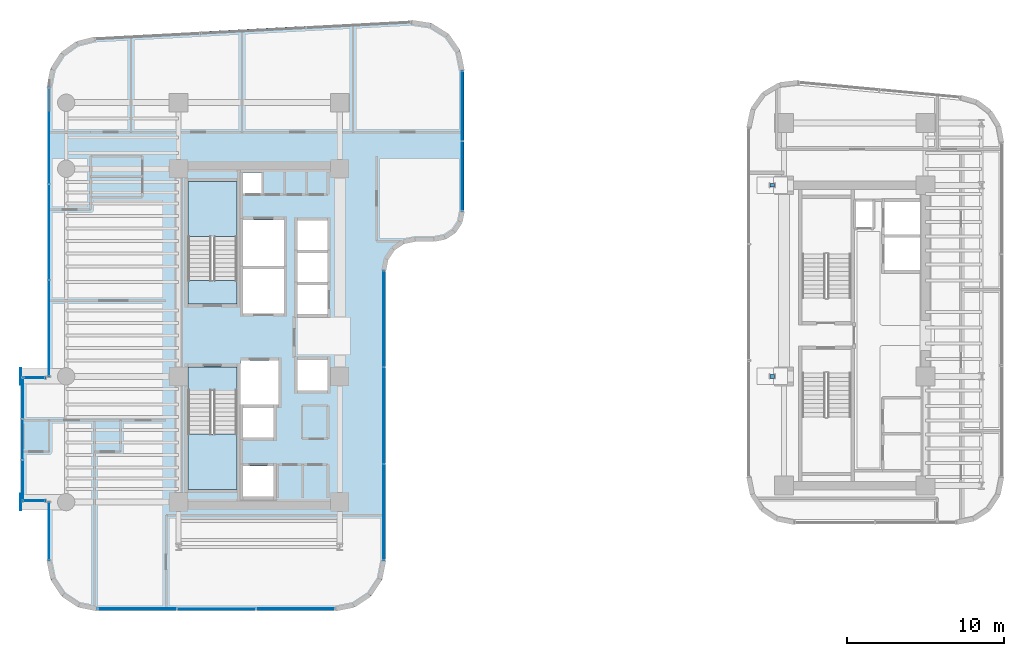
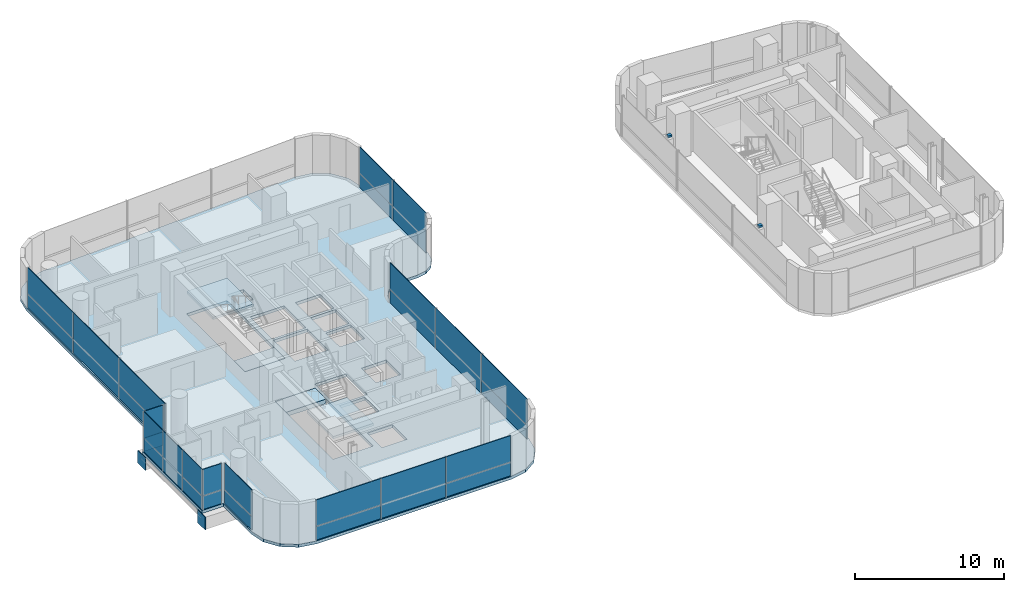
# One storey, part 24 of 35: 31 plates, 5 slabs, 2 members, 10 elements without a shape of their own.
"""IFC4 building model written with IfcOpenShell, lengths in metres."""

from ifc_helpers import new_model, si_unit, direction, frame, origin, origin_2d, place, context, subcontext, project, spatial, polyline, rectangle, hollow_rectangle, outline, extrude, source, transform, mapped, material, layer, layer_set, material_profile, profile_set, type_object, element, aggregate, save


model = new_model("IFC4")

# Units and contexts
model_context = context("Model", 3, precision=1e-05, world=origin(), true_north=direction((0.0, 1.0)))
body_context = subcontext(model_context, "Body", "Model", "MODEL_VIEW")
ifc_project = project(units=[si_unit("LENGTHUNIT", "METRE"), si_unit("AREAUNIT", "SQUARE_METRE"), si_unit("VOLUMEUNIT", "CUBIC_METRE"), si_unit("PLANEANGLEUNIT", "RADIAN"), si_unit("MASSUNIT", "GRAM", prefix="KILO")], contexts=[model_context])

# Site, building, storey
site_placement = place(None, origin())
site = spatial("IfcSite", under=ifc_project, at=site_placement, CompositionType="ELEMENT")
building_placement = place(site_placement, origin())
building = spatial("IfcBuilding", under=site, at=building_placement, Name="Valdorenza Pilgrim Sanctuary Tower", CompositionType="ELEMENT")
storey_placement = place(building_placement, frame((0.0, 0.0, 168.60009765625)))
storey = spatial("IfcBuildingStorey", under=building, at=storey_placement, Name="L43", CompositionType="ELEMENT", Elevation=168.60009765625)

# Members
ifc_material_1 = material(Name="Steel S355J2", Category="steel")
ifc_material_profile = material_profile(ifc_material_1, hollow_rectangle(XDim=0.14990234375, YDim=0.25, WallThickness=0.010009765625, at=origin_2d()), Name="RHS 250x150x10")
ifc_profile_set = profile_set([ifc_material_profile], Name="Steel S355J2")
member_type = type_object("IfcMemberType", Name="STR-MB-BRG-PTFE", PredefinedType="USERDEFINED", material=ifc_profile_set)
shared_shape_1 = source(origin(), body_context, "Body", "SweptSolid", [
    extrude(hollow_rectangle(XDim=0.14990234375, YDim=0.25, WallThickness=0.010009765625, at=origin_2d()), origin(), (0.0, 0.0, 1.0), 0.300048828125),
])
for number, where, z_axis, x_axis, name in (
    (1, (14.949951171875, 9.550048828125, 1.724853515625), (1.0, 0.0, 0.0), (0.0, 0.0, 1.0), "Portal Bridge Unguided PTFE Sliding Bearing PB-BRG1 #1"),
    (2, (14.949951171875, -2.60009765625, 1.724853515625), (1.0, 0.0, 0.0), (0.0, 0.0, 1.0), "Portal Bridge Unguided PTFE Sliding Bearing PB-BRG1 #2"),
):
    element("IfcMember", number, at=place(storey_placement, frame(where, z_axis=z_axis, x_axis=x_axis)), inside=storey, type_object=member_type, Name=name, ObjectType="BEARING", PredefinedType="USERDEFINED", context=body_context, shape_type="MappedRepresentation", body=[
        mapped(shared_shape_1, transform((0.0, 0.0, 0.0), x_axis=(1.0, 0.0, 0.0), y_axis=(0.0, 1.0, 0.0), z_axis=(0.0, 0.0, 1.0), scale=1.0)),
    ])

# Slab
ifc_material_2 = material(Name="Concrete C40/50", Category="concrete")
ifc_layer_1 = layer(ifc_material_2, 0.239990234375, Name="Concrete C40/50")
ifc_layer_set_1 = layer_set([ifc_layer_1], Name="Concrete C40/50")
slab_type_1 = type_object("IfcSlabType", Name="SLAB-FLR-220", PredefinedType="FLOOR", material=ifc_layer_set_1)
slab_1_placement = place(storey_placement, frame((0.0, 0.0, -0.239990234375)))
element("IfcSlab", 3, at=slab_1_placement, inside=storey, type_object=slab_type_1, Name="L43 Structural Floor Slab 1", PredefinedType="FLOOR", context=body_context, shape_type="SweptSolid", body=[
    extrude(outline(polyline([(-32.64990234375, -2.60009765625), (-31.0, -2.60009765625), (-31.0, 15.7646484375), (-30.772216796875, 16.9501953125), (-30.12158203125, 17.966796875), (-29.140625, 18.670166015625), (-27.96875, 18.960205078125), (-7.868896484375, 20.02197265625), (-6.593505859375, 19.8291015625), (-5.497802734375, 19.148193359375), (-4.760009765625, 18.090087890625), (-4.5, 16.826416015625), (-4.5, 7.89990234375), (-4.64453125, 7.1728515625), (-5.056396484375, 6.556396484375), (-5.6728515625, 6.14453125), (-6.39990234375, 6.0), (-7.60009765625, 6.0), (-8.3271484375, 5.85546875), (-8.943603515625, 5.443603515625), (-9.35546875, 4.8271484375), (-9.5, 4.10009765625), (-9.5, -14.300048828125), (-9.74365234375, -15.524658203125), (-10.437255859375, -16.562744140625), (-11.475341796875, -17.25634765625), (-12.699951171875, -17.5), (-27.800048828125, -17.5), (-29.024658203125, -17.25634765625), (-30.062744140625, -16.562744140625), (-30.75634765625, -15.524658203125), (-31.0, -14.300048828125), (-31.0, -10.60009765625), (-32.64990234375, -10.60009765625), (-32.64990234375, -2.60009765625)]), holes=[polyline([(-16.60009765625, -10.25), (-16.60009765625, -8.300048828125), (-18.550048828125, -8.300048828125), (-18.550048828125, -10.25), (-16.60009765625, -10.25)]), polyline([(-22.050048828125, -9.800048828125), (-18.93994140625, -9.800048828125), (-18.93994140625, -3.485107421875), (-18.93994140625, -2.0), (-22.050048828125, -2.0), (-22.050048828125, -3.485107421875), (-22.050048828125, -9.800048828125)]), polyline([(-16.60009765625, -6.5), (-16.60009765625, -4.60009765625), (-18.550048828125, -4.60009765625), (-18.550048828125, -6.5), (-16.60009765625, -6.5)]), polyline([(-18.719970703125, -4.39990234375), (-16.300048828125, -4.39990234375), (-16.300048828125, -1.60009765625), (-18.719970703125, -1.60009765625), (-18.719970703125, -4.39990234375)]), polyline([(-13.179931640625, 1.35009765625), (-13.179931640625, 3.199951171875), (-15.10009765625, 3.199951171875), (-15.10009765625, 1.35009765625), (-13.179931640625, 1.35009765625)]), polyline([(-22.050048828125, 2.0), (-18.93994140625, 2.0), (-18.93994140625, 3.485107421875), (-18.93994140625, 9.800048828125), (-22.050048828125, 9.800048828125), (-22.050048828125, 3.485107421875), (-22.050048828125, 2.0)]), polyline([(-15.949951171875, 1.39990234375), (-15.949951171875, 4.22509765625), (-18.550048828125, 4.22509765625), (-18.550048828125, 1.39990234375), (-15.949951171875, 1.39990234375)]), polyline([(-18.550048828125, 4.425048828125), (-15.949951171875, 4.425048828125), (-15.949951171875, 7.35009765625), (-18.550048828125, 7.35009765625), (-18.550048828125, 4.425048828125)]), polyline([(-17.360107421875, 9.030029296875), (-17.360107421875, 10.35009765625), (-18.570068359375, 10.35009765625), (-18.570068359375, 9.030029296875), (-17.360107421875, 9.030029296875)]), polyline([(-13.179931640625, -3.5), (-13.179931640625, -1.550048828125), (-15.10009765625, -1.550048828125), (-15.10009765625, -3.5), (-13.179931640625, -3.5)]), polyline([(-13.179931640625, 3.39990234375), (-13.179931640625, 5.25), (-15.10009765625, 5.25), (-15.10009765625, 3.39990234375), (-13.179931640625, 3.39990234375)]), polyline([(-13.179931640625, 5.449951171875), (-13.179931640625, 7.300048828125), (-15.10009765625, 7.300048828125), (-15.10009765625, 5.449951171875), (-13.179931640625, 5.449951171875)])]), origin(), (0.0, 0.0, 1.0), 0.239990234375),
])

# Stair, slab
stair_type = type_object("IfcStairType", Name="STR-DOG-CORE", PredefinedType="HALF_TURN_STAIR", material=ifc_material_2)
stair_1_placement = place(storey_placement, origin())
stair_1 = element("IfcStair", 4, at=stair_1_placement, inside=storey, type_object=stair_type, Name="L43 ST-A1", PredefinedType="HALF_TURN_STAIR")
ifc_layer_2 = layer(ifc_material_2, 0.199951171875, Name="Concrete C40/50")
ifc_layer_set_2 = layer_set([ifc_layer_2], Name="Concrete C40/50")
slab_type_2 = type_object("IfcSlabType", Name="SLAB-STL-200", PredefinedType="LANDING", material=ifc_layer_set_2)
slab_2_placement = place(storey_placement, frame((0.0, 0.0, 1.64990234375)))
slab_2 = element("IfcSlab", 5, at=slab_2_placement, type_object=slab_type_2, Name="ST-A1 landing 1", PredefinedType="LANDING", context=body_context, shape_type="SweptSolid", body=[
    extrude(outline(polyline([(-18.93994140625, 6.280029296875), (-18.93994140625, 9.800048828125), (-22.050048828125, 9.800048828125), (-22.050048828125, 6.280029296875), (-18.93994140625, 6.280029296875)])), origin(), (0.0, 0.0, 1.0), 0.199951171875),
])
aggregate(stair_1, [slab_2])

stair_2_placement = place(storey_placement, origin())
stair_2 = element("IfcStair", 6, at=stair_2_placement, inside=storey, type_object=stair_type, Name="L43 ST-A2", PredefinedType="HALF_TURN_STAIR")
slab_3_placement = place(storey_placement, frame((0.0, 0.0, 1.64990234375)))
slab_3 = element("IfcSlab", 7, at=slab_3_placement, type_object=slab_type_2, Name="ST-A2 landing 1", PredefinedType="LANDING", context=body_context, shape_type="SweptSolid", body=[
    extrude(outline(polyline([(-22.050048828125, -6.280029296875), (-22.050048828125, -9.800048828125), (-18.93994140625, -9.800048828125), (-18.93994140625, -6.280029296875), (-22.050048828125, -6.280029296875)])), origin(), (0.0, 0.0, 1.0), 0.199951171875),
])
aggregate(stair_2, [slab_3])

# Slabs
ifc_material_3 = material(Name="Concrete C50/60", Category="concrete")
ifc_layer_3 = layer(ifc_material_3, 0.39990234375, Name="Concrete C50/60")
ifc_layer_set_3 = layer_set([ifc_layer_3], Name="Concrete C50/60")
slab_type_3 = type_object("IfcSlabType", Name="SLAB-TRF-400", PredefinedType="FLOOR", material=ifc_layer_set_3)
slab_4_placement = place(storey_placement, frame((0.0, 0.0, -0.360107421875)))
element("IfcSlab", 8, at=slab_4_placement, inside=storey, type_object=slab_type_3, Name="L43 ST-A1 Structural Stair Landing Bearing Slab", PredefinedType="FLOOR", context=body_context, shape_type="SweptSolid", body=[
    extrude(outline(polyline([(-22.050048828125, 2.0), (-18.93994140625, 2.0), (-18.93994140625, 3.485107421875), (-22.050048828125, 3.485107421875), (-22.050048828125, 2.0)])), origin(), (0.0, 0.0, 1.0), 0.360107421875),
])
slab_5_placement = place(storey_placement, frame((0.0, 0.0, -0.360107421875)))
element("IfcSlab", 9, at=slab_5_placement, inside=storey, type_object=slab_type_3, Name="L43 ST-A2 Structural Stair Landing Bearing Slab", PredefinedType="FLOOR", context=body_context, shape_type="SweptSolid", body=[
    extrude(outline(polyline([(-22.050048828125, -3.485107421875), (-18.93994140625, -3.485107421875), (-18.93994140625, -2.0), (-22.050048828125, -2.0), (-22.050048828125, -3.485107421875)])), origin(), (0.0, 0.0, 1.0), 0.360107421875),
])

# Plates
ifc_material_4 = material(Name="Steel ASTM A572 Grade 42", Category="steel")
ifc_layer_4 = layer(ifc_material_4, 0.06005859375, Name="Steel ASTM A572 Grade 42")
ifc_layer_set_4 = layer_set([ifc_layer_4], Name="Steel ASTM A572 Grade 42")
plate_type_1 = type_object("IfcPlateType", Name="PLT-CAP-60", PredefinedType="SHEET", material=ifc_layer_set_4)
shared_shape_2 = source(origin(), body_context, "Body", "SweptSolid", [
    extrude(rectangle(XDim=0.06005859375, YDim=1.0400390625, at=origin_2d()), origin(), (0.0, 0.0, 1.0), 1.0400390625),
])
for number, where, z_axis, x_axis, name in (
    (10, (-32.679931640625, -2.60009765625, -1.260009765625), (0.0, 0.0, 1.0), (1.0, 0.0, 0.0), "L43 BOX-WA-L43 Cantilever Tip End Cap N"),
    (11, (-32.679931640625, -10.60009765625, -1.260009765625), (0.0, 0.0, 1.0), (1.0, 0.0, 0.0), "L43 BOX-WA-L43 Cantilever Tip End Cap S"),
):
    element("IfcPlate", number, at=place(storey_placement, frame(where, z_axis=z_axis, x_axis=x_axis)), inside=storey, type_object=plate_type_1, Name=name, PredefinedType="SHEET", context=body_context, shape_type="MappedRepresentation", body=[
        mapped(shared_shape_2, transform((0.0, 0.0, 0.0), x_axis=(1.0, 0.0, 0.0), y_axis=(0.0, 1.0, 0.0), z_axis=(0.0, 0.0, 1.0), scale=1.0)),
    ])

# Curtain wall, plate
ifc_material_5 = material(Name="Curtain-wall IGU glazing", Category="glass")
curtain_wall_type = type_object("IfcCurtainWallType", Name="CW-SYS-02", PredefinedType="NOTDEFINED", material=ifc_material_5)
curtain_wall_1_placement = place(storey_placement, origin())
curtain_wall_1 = element("IfcCurtainWall", 12, at=curtain_wall_1_placement, inside=storey, type_object=curtain_wall_type, Name="L43 Curtain Wall CW-L43-BOX-WA-L43-S", PredefinedType="NOTDEFINED")
ifc_material_6 = material(Name="Honed travertine limestone", Category="masonry")
ifc_layer_5 = layer(ifc_material_6, 0.050048828125, Name="Honed travertine limestone")
ifc_layer_set_5 = layer_set([ifc_layer_5], Name="Honed travertine limestone")
plate_type_2 = type_object("IfcPlateType", Name="CW-SPN-TRV", PredefinedType="USERDEFINED", material=ifc_layer_set_5)
shared_shape_3 = source(origin(), body_context, "Body", "SweptSolid", [
    extrude(rectangle(XDim=1.43994140625, YDim=0.06005859375, at=origin_2d()), origin(), (0.0, 0.0, 1.0), 1.10009765625),
])
plate_1_placement = place(storey_placement, frame((-31.840087890625, -10.52001953125, 0.009765625), z_axis=(0.0, 0.0, 1.0), x_axis=(-1.0, 0.0, 0.0)))
plate_1 = element("IfcPlate", 13, at=plate_1_placement, type_object=plate_type_2, Name="CW-L43-BOX-WA-L43-S Travertine Spandrel 1", ObjectType="SPANDREL", PredefinedType="USERDEFINED", context=body_context, shape_type="MappedRepresentation", body=[
    mapped(shared_shape_3, transform((0.0, 0.0, 0.0), x_axis=(1.0, 0.0, 0.0), y_axis=(0.0, 1.0, 0.0), z_axis=(0.0, 0.0, 1.0), scale=1.0)),
])

curtain_wall_2_placement = place(storey_placement, origin())
curtain_wall_2 = element("IfcCurtainWall", 14, at=curtain_wall_2_placement, inside=storey, type_object=curtain_wall_type, Name="L43 Curtain Wall CW-L43-BOX-WA-L43-N", PredefinedType="NOTDEFINED")
plate_2_placement = place(storey_placement, frame((-31.840087890625, -2.679931640625, 0.009765625), z_axis=(0.0, 0.0, 1.0), x_axis=(1.0, 0.0, 0.0)))
plate_2 = element("IfcPlate", 15, at=plate_2_placement, type_object=plate_type_2, Name="CW-L43-BOX-WA-L43-N Travertine Spandrel 1", ObjectType="SPANDREL", PredefinedType="USERDEFINED", context=body_context, shape_type="MappedRepresentation", body=[
    mapped(shared_shape_3, transform((0.0, 0.0, 0.0), x_axis=(1.0, 0.0, 0.0), y_axis=(0.0, 1.0, 0.0), z_axis=(0.0, 0.0, 1.0), scale=1.0)),
])

# Curtain wall, plates
curtain_wall_3_placement = place(storey_placement, origin())
curtain_wall_3 = element("IfcCurtainWall", 16, at=curtain_wall_3_placement, inside=storey, type_object=curtain_wall_type, Name="L43 Curtain Wall CW-L43-BOX-WA-L43-F", PredefinedType="NOTDEFINED")
shared_shape_4 = source(origin(), body_context, "Body", "SweptSolid", [
    extrude(rectangle(XDim=2.59326171875, YDim=0.06005859375, at=origin_2d()), origin(), (0.0, 0.0, 1.0), 1.10009765625),
])
plate_3_placement = place(storey_placement, frame((-32.570068359375, -9.21337890625, 0.009765625), z_axis=(0.0, 0.0, 1.0), x_axis=(0.0, 1.0, 0.0)))
plate_3 = element("IfcPlate", 17, at=plate_3_placement, type_object=plate_type_2, Name="CW-L43-BOX-WA-L43-F Travertine Spandrel 1", ObjectType="SPANDREL", PredefinedType="USERDEFINED", context=body_context, shape_type="MappedRepresentation", body=[
    mapped(shared_shape_4, transform((0.0, 0.0, 0.0), x_axis=(1.0, 0.0, 0.0), y_axis=(0.0, 1.0, 0.0), z_axis=(0.0, 0.0, 1.0), scale=1.0)),
])
plate_4_placement = place(storey_placement, frame((-32.570068359375, -3.98681640625, 0.009765625), z_axis=(0.0, 0.0, 1.0), x_axis=(0.0, 1.0, 0.0)))
plate_4 = element("IfcPlate", 18, at=plate_4_placement, type_object=plate_type_2, Name="CW-L43-BOX-WA-L43-F Travertine Spandrel 3", ObjectType="SPANDREL", PredefinedType="USERDEFINED", context=body_context, shape_type="MappedRepresentation", body=[
    mapped(shared_shape_4, transform((0.0, 0.0, 0.0), x_axis=(1.0, 0.0, 0.0), y_axis=(0.0, 1.0, 0.0), z_axis=(0.0, 0.0, 1.0), scale=1.0)),
])

curtain_wall_4_placement = place(storey_placement, origin())
curtain_wall_4 = element("IfcCurtainWall", 19, at=curtain_wall_4_placement, inside=storey, type_object=curtain_wall_type, Name="L43 Curtain Wall CW-L43-1-26", PredefinedType="NOTDEFINED")
shared_shape_5 = source(origin(), body_context, "Body", "SweptSolid", [
    extrude(rectangle(XDim=5.006103515625, YDim=0.06005859375, at=origin_2d()), origin(), (0.0, 0.0, 1.0), 1.10009765625),
])
plate_5_placement = place(storey_placement, frame((-15.223876953125, -17.389892578125, 0.009765625), z_axis=(0.0, 0.0, 1.0), x_axis=(-1.0, 0.0, 0.0)))
plate_5 = element("IfcPlate", 20, at=plate_5_placement, type_object=plate_type_2, Name="CW-L43-1-26 Travertine Spandrel 1", ObjectType="SPANDREL", PredefinedType="USERDEFINED", context=body_context, shape_type="MappedRepresentation", body=[
    mapped(shared_shape_5, transform((0.0, 0.0, 0.0), x_axis=(1.0, 0.0, 0.0), y_axis=(0.0, 1.0, 0.0), z_axis=(0.0, 0.0, 1.0), scale=1.0)),
])
plate_6_placement = place(storey_placement, frame((-25.276123046875, -17.389892578125, 0.009765625), z_axis=(0.0, 0.0, 1.0), x_axis=(-1.0, 0.0, 0.0)))
plate_6 = element("IfcPlate", 21, at=plate_6_placement, type_object=plate_type_2, Name="CW-L43-1-26 Travertine Spandrel 3", ObjectType="SPANDREL", PredefinedType="USERDEFINED", context=body_context, shape_type="MappedRepresentation", body=[
    mapped(shared_shape_5, transform((0.0, 0.0, 0.0), x_axis=(1.0, 0.0, 0.0), y_axis=(0.0, 1.0, 0.0), z_axis=(0.0, 0.0, 1.0), scale=1.0)),
])

# Curtain wall, plate
curtain_wall_5_placement = place(storey_placement, origin())
curtain_wall_5 = element("IfcCurtainWall", 22, at=curtain_wall_5_placement, inside=storey, type_object=curtain_wall_type, Name="L43 Curtain Wall CW-L43-1-1S1", PredefinedType="NOTDEFINED")
shared_shape_6 = source(origin(), body_context, "Body", "SweptSolid", [
    extrude(rectangle(XDim=3.669189453125, YDim=0.06005859375, at=origin_2d()), origin(), (0.0, 0.0, 1.0), 1.10009765625),
])
plate_7_placement = place(storey_placement, frame((-30.889892578125, -12.444580078125, 0.009765625), z_axis=(0.0, 0.0, 1.0), x_axis=(0.0, 1.0, 0.0)))
plate_7 = element("IfcPlate", 23, at=plate_7_placement, type_object=plate_type_2, Name="CW-L43-1-1S1 Travertine Spandrel 1", ObjectType="SPANDREL", PredefinedType="USERDEFINED", context=body_context, shape_type="MappedRepresentation", body=[
    mapped(shared_shape_6, transform((0.0, 0.0, 0.0), x_axis=(1.0, 0.0, 0.0), y_axis=(0.0, 1.0, 0.0), z_axis=(0.0, 0.0, 1.0), scale=1.0)),
])

curtain_wall_6_placement = place(storey_placement, origin())
curtain_wall_6 = element("IfcCurtainWall", 24, at=curtain_wall_6_placement, inside=storey, type_object=curtain_wall_type, Name="L43 Curtain Wall CW-L43-1-11", PredefinedType="NOTDEFINED")
shared_shape_7 = source(origin(), body_context, "Body", "SweptSolid", [
    extrude(rectangle(XDim=4.432373046875, YDim=0.06005859375, at=origin_2d()), origin(), (0.0, 0.0, 1.0), 1.10009765625),
])
plate_8_placement = place(storey_placement, frame((-4.610107421875, 14.589111328125, 0.009765625), z_axis=(0.0, 0.0, 1.0), x_axis=(0.0, -1.0, 0.0)))
plate_8 = element("IfcPlate", 25, at=plate_8_placement, type_object=plate_type_2, Name="CW-L43-1-11 Travertine Spandrel 1", ObjectType="SPANDREL", PredefinedType="USERDEFINED", context=body_context, shape_type="MappedRepresentation", body=[
    mapped(shared_shape_7, transform((0.0, 0.0, 0.0), x_axis=(1.0, 0.0, 0.0), y_axis=(0.0, 1.0, 0.0), z_axis=(0.0, 0.0, 1.0), scale=1.0)),
])

# Curtain wall, plates
curtain_wall_7_placement = place(storey_placement, origin())
curtain_wall_7 = element("IfcCurtainWall", 26, at=curtain_wall_7_placement, inside=storey, type_object=curtain_wall_type, Name="L43 Curtain Wall CW-L43-1-21", PredefinedType="NOTDEFINED")
shared_shape_8 = source(origin(), body_context, "Body", "SweptSolid", [
    extrude(rectangle(XDim=6.11328125, YDim=0.06005859375, at=origin_2d()), origin(), (0.0, 0.0, 1.0), 1.10009765625),
])
plate_9_placement = place(storey_placement, frame((-9.610107421875, 1.044189453125, 0.009765625), z_axis=(0.0, 0.0, 1.0), x_axis=(0.0, -1.0, 0.0)))
plate_9 = element("IfcPlate", 27, at=plate_9_placement, type_object=plate_type_2, Name="CW-L43-1-21 Travertine Spandrel 1", ObjectType="SPANDREL", PredefinedType="USERDEFINED", context=body_context, shape_type="MappedRepresentation", body=[
    mapped(shared_shape_8, transform((0.0, 0.0, 0.0), x_axis=(1.0, 0.0, 0.0), y_axis=(0.0, 1.0, 0.0), z_axis=(0.0, 0.0, 1.0), scale=1.0)),
])
plate_10_placement = place(storey_placement, frame((-9.610107421875, -11.222412109375, 0.009765625), z_axis=(0.0, 0.0, 1.0), x_axis=(0.0, -1.0, 0.0)))
plate_10 = element("IfcPlate", 28, at=plate_10_placement, type_object=plate_type_2, Name="CW-L43-1-21 Travertine Spandrel 3", ObjectType="SPANDREL", PredefinedType="USERDEFINED", context=body_context, shape_type="MappedRepresentation", body=[
    mapped(shared_shape_8, transform((0.0, 0.0, 0.0), x_axis=(1.0, 0.0, 0.0), y_axis=(0.0, 1.0, 0.0), z_axis=(0.0, 0.0, 1.0), scale=1.0)),
])

curtain_wall_8_placement = place(storey_placement, origin())
curtain_wall_8 = element("IfcCurtainWall", 29, at=curtain_wall_8_placement, inside=storey, type_object=curtain_wall_type, Name="L43 Curtain Wall CW-L43-1-1S2", PredefinedType="NOTDEFINED")
shared_shape_9 = source(origin(), body_context, "Body", "SweptSolid", [
    extrude(rectangle(XDim=6.097900390625, YDim=0.06005859375, at=origin_2d()), origin(), (0.0, 0.0, 1.0), 1.10009765625),
])
plate_11_placement = place(storey_placement, frame((-30.889892578125, 0.458984375, 0.009765625), z_axis=(0.0, 0.0, 1.0), x_axis=(0.0, 1.0, 0.0)))
plate_11 = element("IfcPlate", 30, at=plate_11_placement, type_object=plate_type_2, Name="CW-L43-1-1S2 Travertine Spandrel 1", ObjectType="SPANDREL", PredefinedType="USERDEFINED", context=body_context, shape_type="MappedRepresentation", body=[
    mapped(shared_shape_9, transform((0.0, 0.0, 0.0), x_axis=(1.0, 0.0, 0.0), y_axis=(0.0, 1.0, 0.0), z_axis=(0.0, 0.0, 1.0), scale=1.0)),
])
plate_12_placement = place(storey_placement, frame((-30.889892578125, 12.695068359375, 0.009765625), z_axis=(0.0, 0.0, 1.0), x_axis=(0.0, 1.0, 0.0)))
plate_12 = element("IfcPlate", 31, at=plate_12_placement, type_object=plate_type_2, Name="CW-L43-1-1S2 Travertine Spandrel 3", ObjectType="SPANDREL", PredefinedType="USERDEFINED", context=body_context, shape_type="MappedRepresentation", body=[
    mapped(shared_shape_9, transform((0.0, 0.0, 0.0), x_axis=(1.0, 0.0, 0.0), y_axis=(0.0, 1.0, 0.0), z_axis=(0.0, 0.0, 1.0), scale=1.0)),
])

# Plate
ifc_material_7 = material(Name="Ceramic-fritted low-E IGU glazing", Category="glass")
ifc_layer_6 = layer(ifc_material_7, 0.035888671875, Name="Ceramic-fritted low-E IGU glazing")
ifc_layer_set_6 = layer_set([ifc_layer_6], Name="Ceramic-fritted low-E IGU glazing")
plate_type_3 = type_object("IfcPlateType", Name="CW-GLZ-IGU", PredefinedType="USERDEFINED", material=ifc_layer_set_6)
shared_shape_10 = source(origin(), body_context, "Body", "SweptSolid", [
    extrude(rectangle(XDim=3.669189453125, YDim=0.050048828125, at=origin_2d()), origin(), (0.0, 0.0, 1.0), 2.159912109375),
])
plate_13_placement = place(storey_placement, frame((-30.889892578125, -12.444580078125, 1.1298828125), z_axis=(0.0, 0.0, 1.0), x_axis=(0.0, 1.0, 0.0)))
plate_13 = element("IfcPlate", 32, at=plate_13_placement, type_object=plate_type_3, Name="CW-L43-1-1S1 Facade Panel 1", ObjectType="GLAZING", PredefinedType="USERDEFINED", context=body_context, shape_type="MappedRepresentation", body=[
    mapped(shared_shape_10, transform((0.0, 0.0, 0.0), x_axis=(1.0, 0.0, 0.0), y_axis=(0.0, 1.0, 0.0), z_axis=(0.0, 0.0, 1.0), scale=1.0)),
])

aggregate(curtain_wall_5, [plate_7, plate_13])

shared_shape_11 = source(origin(), body_context, "Body", "SweptSolid", [
    extrude(rectangle(XDim=6.097900390625, YDim=0.050048828125, at=origin_2d()), origin(), (0.0, 0.0, 1.0), 2.159912109375),
])
plate_14_placement = place(storey_placement, frame((-30.889892578125, 0.458984375, 1.1298828125), z_axis=(0.0, 0.0, 1.0), x_axis=(0.0, 1.0, 0.0)))
plate_14 = element("IfcPlate", 33, at=plate_14_placement, type_object=plate_type_3, Name="CW-L43-1-1S2 Facade Panel 1", ObjectType="GLAZING", PredefinedType="USERDEFINED", context=body_context, shape_type="MappedRepresentation", body=[
    mapped(shared_shape_11, transform((0.0, 0.0, 0.0), x_axis=(1.0, 0.0, 0.0), y_axis=(0.0, 1.0, 0.0), z_axis=(0.0, 0.0, 1.0), scale=1.0)),
])

plate_15_placement = place(storey_placement, frame((-30.889892578125, 12.695068359375, 1.1298828125), z_axis=(0.0, 0.0, 1.0), x_axis=(0.0, 1.0, 0.0)))
plate_15 = element("IfcPlate", 34, at=plate_15_placement, type_object=plate_type_3, Name="CW-L43-1-1S2 Facade Panel 3", ObjectType="GLAZING", PredefinedType="USERDEFINED", context=body_context, shape_type="MappedRepresentation", body=[
    mapped(shared_shape_11, transform((0.0, 0.0, 0.0), x_axis=(1.0, 0.0, 0.0), y_axis=(0.0, 1.0, 0.0), z_axis=(0.0, 0.0, 1.0), scale=1.0)),
])

shared_shape_12 = source(origin(), body_context, "Body", "SweptSolid", [
    extrude(rectangle(XDim=6.097900390625, YDim=0.050048828125, at=origin_2d()), origin(), (0.0, 0.0, 1.0), 3.280029296875),
])
plate_16_placement = place(storey_placement, frame((-30.889892578125, 6.576904296875, 0.009765625), z_axis=(0.0, 0.0, 1.0), x_axis=(0.0, 1.0, 0.0)))
plate_16 = element("IfcPlate", 35, at=plate_16_placement, type_object=plate_type_3, Name="CW-L43-1-1S2 Full-Height Facade Panel 2", ObjectType="GLAZING", PredefinedType="USERDEFINED", context=body_context, shape_type="MappedRepresentation", body=[
    mapped(shared_shape_12, transform((0.0, 0.0, 0.0), x_axis=(1.0, 0.0, 0.0), y_axis=(0.0, 1.0, 0.0), z_axis=(0.0, 0.0, 1.0), scale=1.0)),
])

aggregate(curtain_wall_8, [plate_11, plate_14, plate_16, plate_12, plate_15])

shared_shape_13 = source(origin(), body_context, "Body", "SweptSolid", [
    extrude(rectangle(XDim=4.432373046875, YDim=0.050048828125, at=origin_2d()), origin(), (0.0, 0.0, 1.0), 2.159912109375),
])
plate_17_placement = place(storey_placement, frame((-4.610107421875, 14.589111328125, 1.1298828125), z_axis=(0.0, 0.0, 1.0), x_axis=(0.0, -1.0, 0.0)))
plate_17 = element("IfcPlate", 36, at=plate_17_placement, type_object=plate_type_3, Name="CW-L43-1-11 Facade Panel 1", ObjectType="GLAZING", PredefinedType="USERDEFINED", context=body_context, shape_type="MappedRepresentation", body=[
    mapped(shared_shape_13, transform((0.0, 0.0, 0.0), x_axis=(1.0, 0.0, 0.0), y_axis=(0.0, 1.0, 0.0), z_axis=(0.0, 0.0, 1.0), scale=1.0)),
])

shared_shape_14 = source(origin(), body_context, "Body", "SweptSolid", [
    extrude(rectangle(XDim=4.432373046875, YDim=0.050048828125, at=origin_2d()), origin(), (0.0, 0.0, 1.0), 3.280029296875),
])
plate_18_placement = place(storey_placement, frame((-4.610107421875, 10.136962890625, 0.009765625), z_axis=(0.0, 0.0, 1.0), x_axis=(0.0, -1.0, 0.0)))
plate_18 = element("IfcPlate", 37, at=plate_18_placement, type_object=plate_type_3, Name="CW-L43-1-11 Full-Height Facade Panel 2", ObjectType="GLAZING", PredefinedType="USERDEFINED", context=body_context, shape_type="MappedRepresentation", body=[
    mapped(shared_shape_14, transform((0.0, 0.0, 0.0), x_axis=(1.0, 0.0, 0.0), y_axis=(0.0, 1.0, 0.0), z_axis=(0.0, 0.0, 1.0), scale=1.0)),
])

aggregate(curtain_wall_6, [plate_8, plate_17, plate_18])

shared_shape_15 = source(origin(), body_context, "Body", "SweptSolid", [
    extrude(rectangle(XDim=6.11328125, YDim=0.050048828125, at=origin_2d()), origin(), (0.0, 0.0, 1.0), 2.159912109375),
])
plate_19_placement = place(storey_placement, frame((-9.610107421875, 1.044189453125, 1.1298828125), z_axis=(0.0, 0.0, 1.0), x_axis=(0.0, -1.0, 0.0)))
plate_19 = element("IfcPlate", 38, at=plate_19_placement, type_object=plate_type_3, Name="CW-L43-1-21 Facade Panel 1", ObjectType="GLAZING", PredefinedType="USERDEFINED", context=body_context, shape_type="MappedRepresentation", body=[
    mapped(shared_shape_15, transform((0.0, 0.0, 0.0), x_axis=(1.0, 0.0, 0.0), y_axis=(0.0, 1.0, 0.0), z_axis=(0.0, 0.0, 1.0), scale=1.0)),
])

plate_20_placement = place(storey_placement, frame((-9.610107421875, -11.222412109375, 1.1298828125), z_axis=(0.0, 0.0, 1.0), x_axis=(0.0, -1.0, 0.0)))
plate_20 = element("IfcPlate", 39, at=plate_20_placement, type_object=plate_type_3, Name="CW-L43-1-21 Facade Panel 3", ObjectType="GLAZING", PredefinedType="USERDEFINED", context=body_context, shape_type="MappedRepresentation", body=[
    mapped(shared_shape_15, transform((0.0, 0.0, 0.0), x_axis=(1.0, 0.0, 0.0), y_axis=(0.0, 1.0, 0.0), z_axis=(0.0, 0.0, 1.0), scale=1.0)),
])

shared_shape_16 = source(origin(), body_context, "Body", "SweptSolid", [
    extrude(rectangle(XDim=6.11328125, YDim=0.050048828125, at=origin_2d()), origin(), (0.0, 0.0, 1.0), 3.280029296875),
])
plate_21_placement = place(storey_placement, frame((-9.610107421875, -5.089111328125, 0.009765625), z_axis=(0.0, 0.0, 1.0), x_axis=(0.0, -1.0, 0.0)))
plate_21 = element("IfcPlate", 40, at=plate_21_placement, type_object=plate_type_3, Name="CW-L43-1-21 Full-Height Facade Panel 2", ObjectType="GLAZING", PredefinedType="USERDEFINED", context=body_context, shape_type="MappedRepresentation", body=[
    mapped(shared_shape_16, transform((0.0, 0.0, 0.0), x_axis=(1.0, 0.0, 0.0), y_axis=(0.0, 1.0, 0.0), z_axis=(0.0, 0.0, 1.0), scale=1.0)),
])

aggregate(curtain_wall_7, [plate_9, plate_19, plate_21, plate_10, plate_20])

shared_shape_17 = source(origin(), body_context, "Body", "SweptSolid", [
    extrude(rectangle(XDim=5.006103515625, YDim=0.050048828125, at=origin_2d()), origin(), (0.0, 0.0, 1.0), 2.159912109375),
])
plate_22_placement = place(storey_placement, frame((-15.223876953125, -17.389892578125, 1.1298828125), z_axis=(0.0, 0.0, 1.0), x_axis=(-1.0, 0.0, 0.0)))
plate_22 = element("IfcPlate", 41, at=plate_22_placement, type_object=plate_type_3, Name="CW-L43-1-26 Facade Panel 1", ObjectType="GLAZING", PredefinedType="USERDEFINED", context=body_context, shape_type="MappedRepresentation", body=[
    mapped(shared_shape_17, transform((0.0, 0.0, 0.0), x_axis=(1.0, 0.0, 0.0), y_axis=(0.0, 1.0, 0.0), z_axis=(0.0, 0.0, 1.0), scale=1.0)),
])

plate_23_placement = place(storey_placement, frame((-25.276123046875, -17.389892578125, 1.1298828125), z_axis=(0.0, 0.0, 1.0), x_axis=(-1.0, 0.0, 0.0)))
plate_23 = element("IfcPlate", 42, at=plate_23_placement, type_object=plate_type_3, Name="CW-L43-1-26 Facade Panel 3", ObjectType="GLAZING", PredefinedType="USERDEFINED", context=body_context, shape_type="MappedRepresentation", body=[
    mapped(shared_shape_17, transform((0.0, 0.0, 0.0), x_axis=(1.0, 0.0, 0.0), y_axis=(0.0, 1.0, 0.0), z_axis=(0.0, 0.0, 1.0), scale=1.0)),
])

shared_shape_18 = source(origin(), body_context, "Body", "SweptSolid", [
    extrude(rectangle(XDim=5.006103515625, YDim=0.050048828125, at=origin_2d()), origin(), (0.0, 0.0, 1.0), 3.280029296875),
])
plate_24_placement = place(storey_placement, frame((-20.25, -17.389892578125, 0.009765625), z_axis=(0.0, 0.0, 1.0), x_axis=(-1.0, 0.0, 0.0)))
plate_24 = element("IfcPlate", 43, at=plate_24_placement, type_object=plate_type_3, Name="CW-L43-1-26 Full-Height Facade Panel 2", ObjectType="GLAZING", PredefinedType="USERDEFINED", context=body_context, shape_type="MappedRepresentation", body=[
    mapped(shared_shape_18, transform((0.0, 0.0, 0.0), x_axis=(1.0, 0.0, 0.0), y_axis=(0.0, 1.0, 0.0), z_axis=(0.0, 0.0, 1.0), scale=1.0)),
])

aggregate(curtain_wall_4, [plate_5, plate_22, plate_24, plate_6, plate_23])

shared_shape_19 = source(origin(), body_context, "Body", "SweptSolid", [
    extrude(rectangle(XDim=1.43994140625, YDim=0.050048828125, at=origin_2d()), origin(), (0.0, 0.0, 1.0), 2.159912109375),
])
plate_25_placement = place(storey_placement, frame((-31.840087890625, -10.52001953125, 1.1298828125), z_axis=(0.0, 0.0, 1.0), x_axis=(-1.0, 0.0, 0.0)))
plate_25 = element("IfcPlate", 44, at=plate_25_placement, type_object=plate_type_3, Name="CW-L43-BOX-WA-L43-S Facade Panel 1", ObjectType="GLAZING", PredefinedType="USERDEFINED", context=body_context, shape_type="MappedRepresentation", body=[
    mapped(shared_shape_19, transform((0.0, 0.0, 0.0), x_axis=(1.0, 0.0, 0.0), y_axis=(0.0, 1.0, 0.0), z_axis=(0.0, 0.0, 1.0), scale=1.0)),
])

aggregate(curtain_wall_1, [plate_1, plate_25])

plate_26_placement = place(storey_placement, frame((-31.840087890625, -2.679931640625, 1.1298828125), z_axis=(0.0, 0.0, 1.0), x_axis=(1.0, 0.0, 0.0)))
plate_26 = element("IfcPlate", 45, at=plate_26_placement, type_object=plate_type_3, Name="CW-L43-BOX-WA-L43-N Facade Panel 1", ObjectType="GLAZING", PredefinedType="USERDEFINED", context=body_context, shape_type="MappedRepresentation", body=[
    mapped(shared_shape_19, transform((0.0, 0.0, 0.0), x_axis=(1.0, 0.0, 0.0), y_axis=(0.0, 1.0, 0.0), z_axis=(0.0, 0.0, 1.0), scale=1.0)),
])

aggregate(curtain_wall_2, [plate_2, plate_26])

shared_shape_20 = source(origin(), body_context, "Body", "SweptSolid", [
    extrude(rectangle(XDim=2.59326171875, YDim=0.050048828125, at=origin_2d()), origin(), (0.0, 0.0, 1.0), 2.159912109375),
])
plate_27_placement = place(storey_placement, frame((-32.570068359375, -9.21337890625, 1.1298828125), z_axis=(0.0, 0.0, 1.0), x_axis=(0.0, 1.0, 0.0)))
plate_27 = element("IfcPlate", 46, at=plate_27_placement, type_object=plate_type_3, Name="CW-L43-BOX-WA-L43-F Facade Panel 1", ObjectType="GLAZING", PredefinedType="USERDEFINED", context=body_context, shape_type="MappedRepresentation", body=[
    mapped(shared_shape_20, transform((0.0, 0.0, 0.0), x_axis=(1.0, 0.0, 0.0), y_axis=(0.0, 1.0, 0.0), z_axis=(0.0, 0.0, 1.0), scale=1.0)),
])

plate_28_placement = place(storey_placement, frame((-32.570068359375, -3.98681640625, 1.1298828125), z_axis=(0.0, 0.0, 1.0), x_axis=(0.0, 1.0, 0.0)))
plate_28 = element("IfcPlate", 47, at=plate_28_placement, type_object=plate_type_3, Name="CW-L43-BOX-WA-L43-F Facade Panel 3", ObjectType="GLAZING", PredefinedType="USERDEFINED", context=body_context, shape_type="MappedRepresentation", body=[
    mapped(shared_shape_20, transform((0.0, 0.0, 0.0), x_axis=(1.0, 0.0, 0.0), y_axis=(0.0, 1.0, 0.0), z_axis=(0.0, 0.0, 1.0), scale=1.0)),
])

shared_shape_21 = source(origin(), body_context, "Body", "SweptSolid", [
    extrude(rectangle(XDim=2.59326171875, YDim=0.050048828125, at=origin_2d()), origin(), (0.0, 0.0, 1.0), 3.280029296875),
])
plate_29_placement = place(storey_placement, frame((-32.570068359375, -6.60009765625, 0.009765625), z_axis=(0.0, 0.0, 1.0), x_axis=(0.0, 1.0, 0.0)))
plate_29 = element("IfcPlate", 48, at=plate_29_placement, type_object=plate_type_3, Name="CW-L43-BOX-WA-L43-F Full-Height Facade Panel 2", ObjectType="GLAZING", PredefinedType="USERDEFINED", context=body_context, shape_type="MappedRepresentation", body=[
    mapped(shared_shape_21, transform((0.0, 0.0, 0.0), x_axis=(1.0, 0.0, 0.0), y_axis=(0.0, 1.0, 0.0), z_axis=(0.0, 0.0, 1.0), scale=1.0)),
])

aggregate(curtain_wall_3, [plate_3, plate_27, plate_29, plate_4, plate_28])

save(model, "model.ifc")
